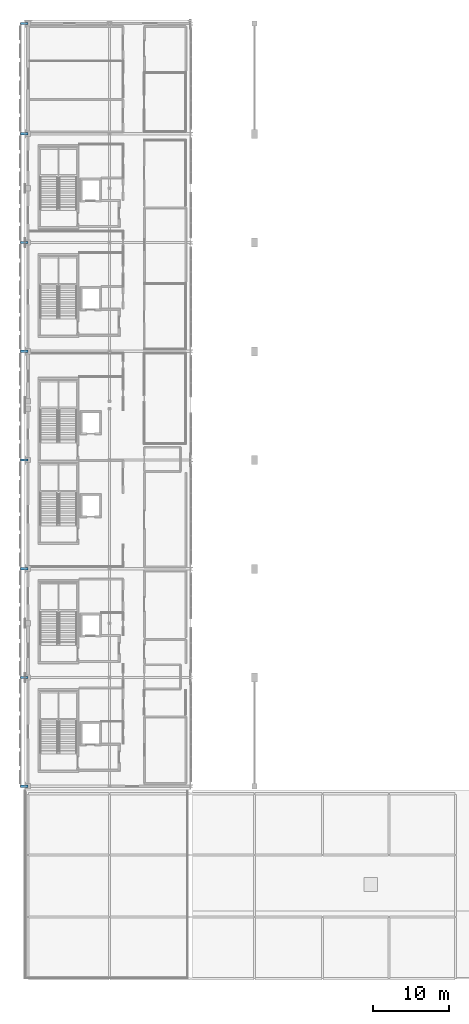
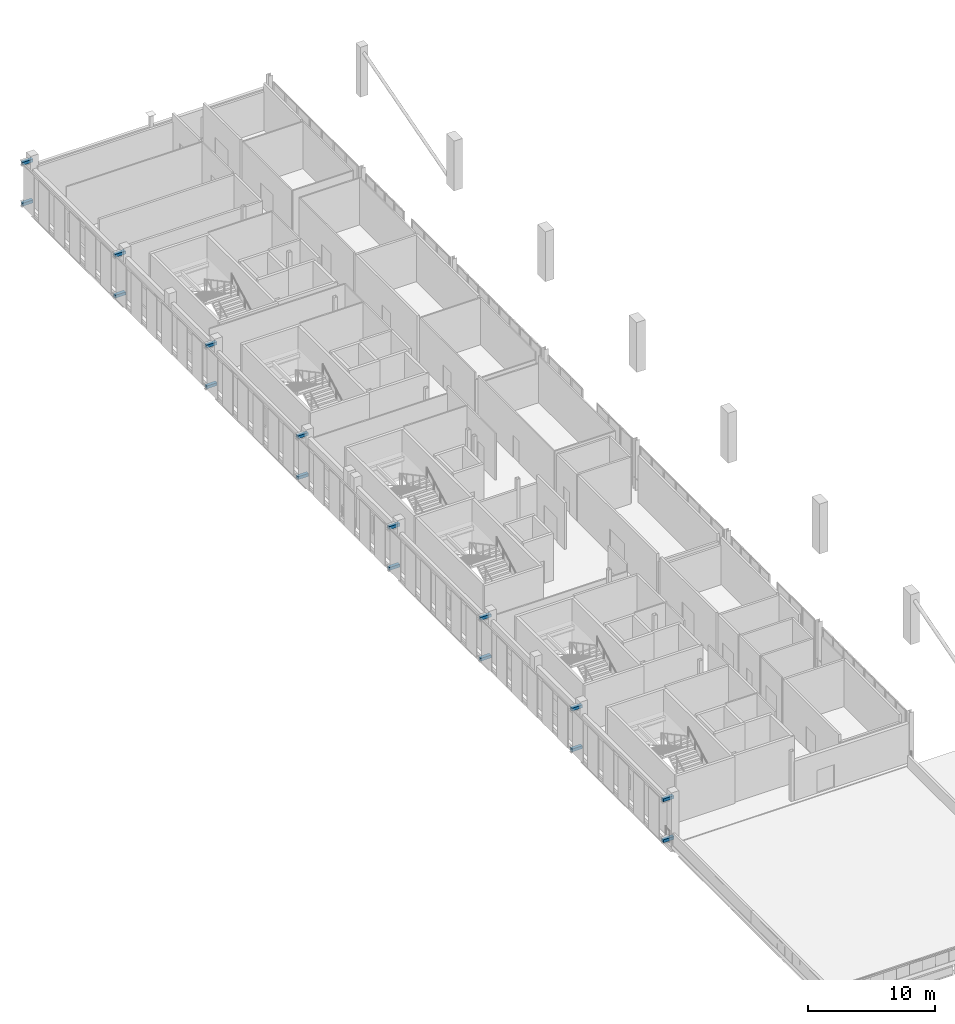
# One storey, part 40 of 51: 16 discrete accessories.
"""IFC4 building model written with IfcOpenShell, lengths in metres."""

from ifc_helpers import new_model, si_unit, direction, frame, origin, origin_2d, place, context, subcontext, project, spatial, rectangle, extrude, material, type_object, element, save


model = new_model("IFC4")

# Units and contexts
model_context = context("Model", 3, precision=1e-05, world=origin(), true_north=direction((0.0, 1.0)))
body_context = subcontext(model_context, "Body", "Model", "MODEL_VIEW")
ifc_project = project(units=[si_unit("LENGTHUNIT", "METRE"), si_unit("AREAUNIT", "SQUARE_METRE"), si_unit("VOLUMEUNIT", "CUBIC_METRE"), si_unit("PLANEANGLEUNIT", "RADIAN"), si_unit("MASSUNIT", "GRAM", prefix="KILO")], contexts=[model_context])

# Site, building, storey
site_placement = place(None, origin())
site = spatial("IfcSite", under=ifc_project, at=site_placement, CompositionType="ELEMENT")
building_placement = place(site_placement, origin())
building = spatial("IfcBuilding", under=site, at=building_placement, Name="Koshinbarg Plaza Stadium", CompositionType="ELEMENT")
storey_placement = place(building_placement, frame((0.0, 0.0, 24.60009765625)))
storey = spatial("IfcBuildingStorey", under=building, at=storey_placement, Name="L05", CompositionType="ELEMENT", Elevation=24.60009765625)

# Discrete accessories
ifc_material = material(Name="Galvanized steel facade support bracket", Category="steel")
discrete_accessory_type = type_object("IfcDiscreteAccessoryType", Name="ACC-BRACKET-01", PredefinedType="BRACKET", material=ifc_material)
for number, where, z_axis, x_axis, name in (
    (1, (24.1201171875, 25.5, 0.10986328125), (0.0, 0.0, 1.0), (1.0, 0.0, 0.0), "Outer screen support bracket W-L05-Y01"),
    (2, (24.1201171875, 25.5, 4.0400390625), (0.0, 0.0, 1.0), (1.0, 0.0, 0.0), "Outer screen support bracket W-L05-Y01"),
    (3, (24.1201171875, 39.89990234375, 0.10986328125), (0.0, 0.0, 1.0), (1.0, 0.0, 0.0), "Outer screen support bracket W-L05-Y02"),
    (4, (24.1201171875, 39.89990234375, 4.0400390625), (0.0, 0.0, 1.0), (1.0, 0.0, 0.0), "Outer screen support bracket W-L05-Y02"),
    (5, (24.1201171875, 54.300048828125, 0.10986328125), (0.0, 0.0, 1.0), (1.0, 0.0, 0.0), "Outer screen support bracket W-L05-Y03"),
    (6, (24.1201171875, 54.300048828125, 4.0400390625), (0.0, 0.0, 1.0), (1.0, 0.0, 0.0), "Outer screen support bracket W-L05-Y03"),
    (7, (24.1201171875, 68.699951171875, 0.10986328125), (0.0, 0.0, 1.0), (1.0, 0.0, 0.0), "Outer screen support bracket W-L05-Y04"),
    (8, (24.1201171875, 68.699951171875, 4.0400390625), (0.0, 0.0, 1.0), (1.0, 0.0, 0.0), "Outer screen support bracket W-L05-Y04"),
    (9, (24.1201171875, 83.10009765625, 0.10986328125), (0.0, 0.0, 1.0), (1.0, 0.0, 0.0), "Outer screen support bracket W-L05-Y05"),
    (10, (24.1201171875, 83.10009765625, 4.0400390625), (0.0, 0.0, 1.0), (1.0, 0.0, 0.0), "Outer screen support bracket W-L05-Y05"),
    (11, (24.1201171875, 97.5, 0.10986328125), (0.0, 0.0, 1.0), (1.0, 0.0, 0.0), "Outer screen support bracket W-L05-Y06"),
    (12, (24.1201171875, 97.5, 4.0400390625), (0.0, 0.0, 1.0), (1.0, 0.0, 0.0), "Outer screen support bracket W-L05-Y06"),
    (13, (24.1201171875, 111.89990234375, 0.10986328125), (0.0, 0.0, 1.0), (1.0, 0.0, 0.0), "Outer screen support bracket W-L05-Y07"),
    (14, (24.1201171875, 111.89990234375, 4.0400390625), (0.0, 0.0, 1.0), (1.0, 0.0, 0.0), "Outer screen support bracket W-L05-Y07"),
    (15, (24.1201171875, 126.5, 0.10986328125), (0.0, 0.0, 1.0), (1.0, 0.0, 0.0), "Outer screen support bracket W-L05-Y08"),
    (16, (24.1201171875, 126.5, 4.0400390625), (0.0, 0.0, 1.0), (1.0, 0.0, 0.0), "Outer screen support bracket W-L05-Y08"),
):
    element("IfcDiscreteAccessory", number, at=place(storey_placement, frame(where, z_axis=z_axis, x_axis=x_axis)), inside=storey, type_object=discrete_accessory_type, Name=name, PredefinedType="BRACKET", context=body_context, shape_type="SweptSolid", body=[
        extrude(rectangle(XDim=0.9599609375, YDim=0.300048828125, at=origin_2d()), origin(), (0.0, 0.0, 1.0), 0.280029296875),
    ])

save(model, "model.ifc")
